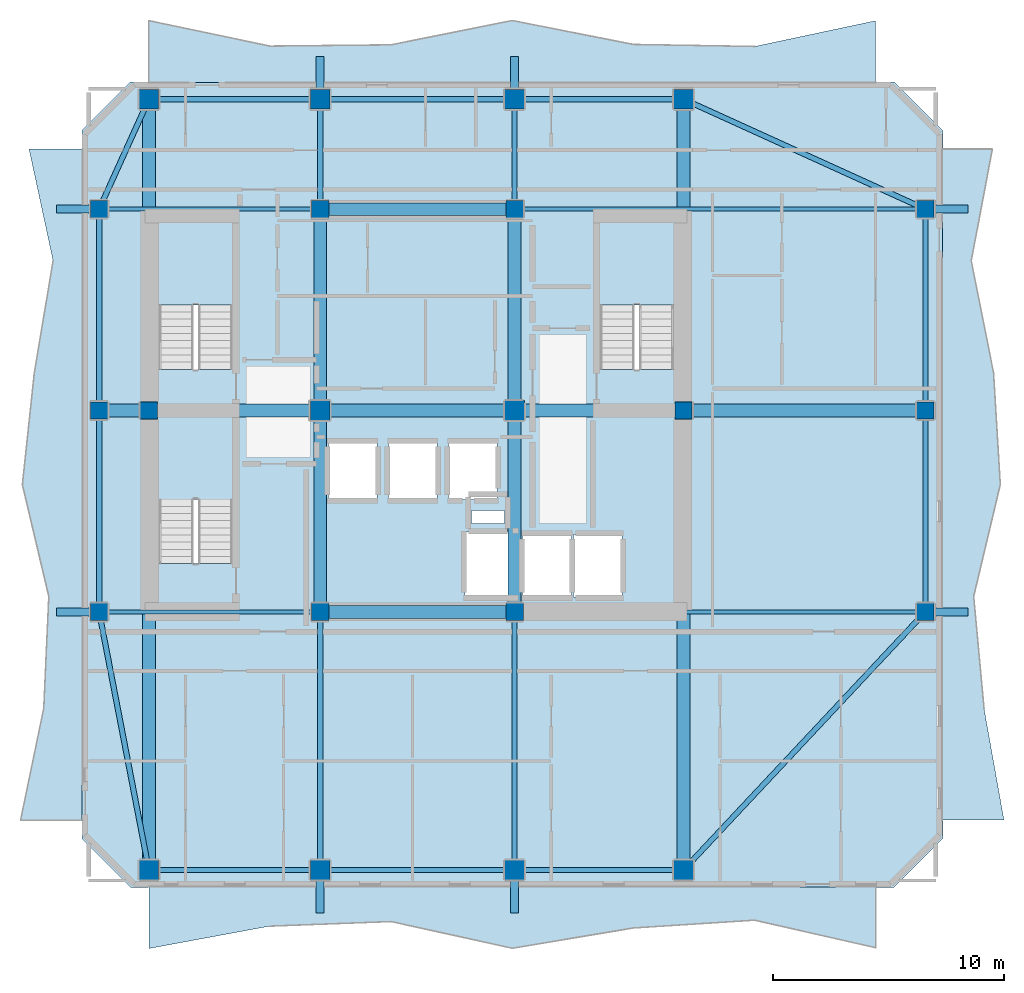
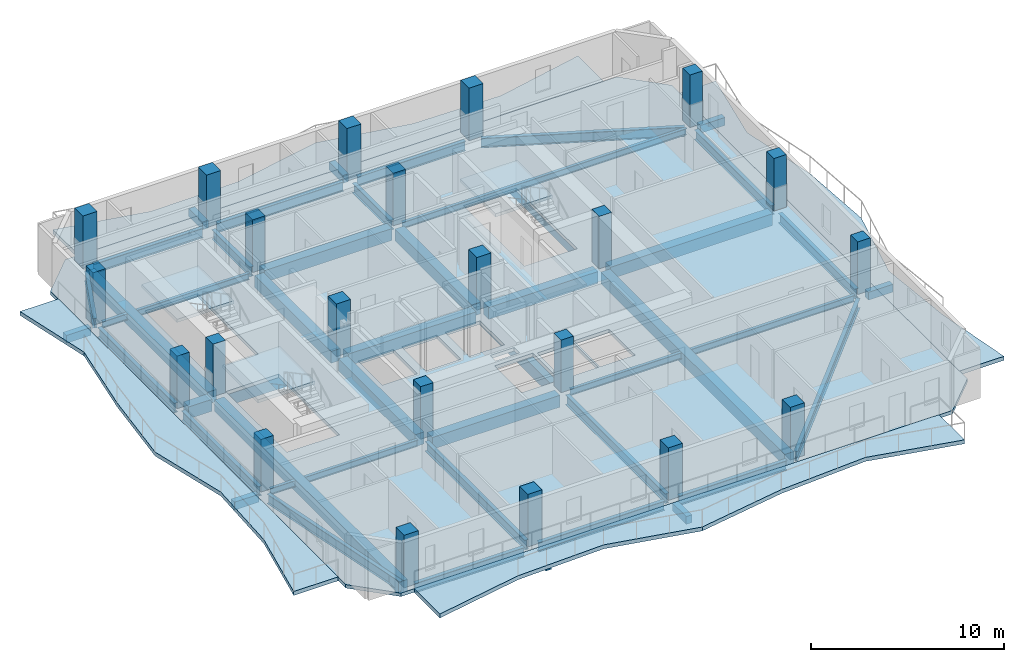
# One storey, part 1 of 9: 45 beams, 22 columns, 8 slabs, 3 elements without a shape of their own.
"""IFC4 building model written with IfcOpenShell, lengths in metres."""

from ifc_helpers import new_model, si_unit, direction, frame, origin, origin_2d, place, context, subcontext, project, spatial, polyline, rectangle, i_section, outline, extrude, material, layer, layer_set, material_profile, profile_set, type_object, element, aggregate, save


model = new_model("IFC4")

# Units and contexts
model_context = context("Model", 3, precision=1e-05, world=origin(), true_north=direction((0.0, 1.0)))
body_context = subcontext(model_context, "Body", "Model", "MODEL_VIEW")
ifc_project = project(units=[si_unit("LENGTHUNIT", "METRE"), si_unit("AREAUNIT", "SQUARE_METRE"), si_unit("VOLUMEUNIT", "CUBIC_METRE"), si_unit("PLANEANGLEUNIT", "RADIAN"), si_unit("MASSUNIT", "GRAM", prefix="KILO")], contexts=[model_context])

# Site, building, storey
site_placement = place(None, origin())
site = spatial("IfcSite", under=ifc_project, at=site_placement, CompositionType="ELEMENT")
building_placement = place(site_placement, origin())
building = spatial("IfcBuilding", under=site, at=building_placement, Name="Solanera Arch Residences", CompositionType="ELEMENT")
storey_placement = place(building_placement, frame((0.0, 0.0, 220.0400390625)))
storey = spatial("IfcBuildingStorey", under=building, at=storey_placement, Name="L64", CompositionType="ELEMENT", Elevation=220.0400390625)

# Columns
ifc_material_1 = material(Name="Concrete C40/50 (f'c = 45 MPa)", Category="concrete")
ifc_material_profile_1 = material_profile(ifc_material_1, rectangle(XDim=0.75, YDim=0.75, at=origin_2d()))
ifc_profile_set_1 = profile_set([ifc_material_profile_1], Name="Concrete C40/50 (f'c = 45 MPa)")
column_type_1 = type_object("IfcColumnType", Name="Structural Column RC-COL-750X750", PredefinedType="COLUMN", material=ifc_profile_set_1)
for number, where, z_axis, x_axis, name in (
    (1, (20.800048828125, 22.0, 0.0), (0.0, 0.0, 1.0), (1.0, 0.0, 0.0), "COL-L64-CB-SW"),
    (2, (29.199951171875, 22.0, 0.0), (0.0, 0.0, 1.0), (1.0, 0.0, 0.0), "COL-L64-CB-SE"),
    (3, (20.800048828125, 39.39990234375, 0.0), (0.0, 0.0, 1.0), (1.0, 0.0, 0.0), "COL-L64-CB-NW"),
    (4, (29.199951171875, 39.39990234375, 0.0), (0.0, 0.0, 1.0), (1.0, 0.0, 0.0), "COL-L64-CB-NE"),
    (5, (13.39990234375, 30.699951171875, 0.0), (0.0, 0.0, 1.0), (1.0, 0.0, 0.0), "COL-L64-CB-WW"),
    (6, (36.5, 30.699951171875, 0.0), (0.0, 0.0, 1.0), (1.0, 0.0, 0.0), "COL-L64-CB-EE"),
    (7, (11.25, 22.0, 0.0), (0.0, 0.0, 1.0), (1.0, 0.0, 0.0), "COL-L64-TWR-09"),
    (8, (46.949951171875, 22.0, 0.0), (0.0, 0.0, 1.0), (1.0, 0.0, 0.0), "COL-L64-TWR-10"),
    (9, (11.25, 30.699951171875, 0.0), (0.0, 0.0, 1.0), (1.0, 0.0, 0.0), "COL-L64-TWR-11"),
    (10, (46.949951171875, 30.699951171875, 0.0), (0.0, 0.0, 1.0), (1.0, 0.0, 0.0), "COL-L64-TWR-12"),
    (11, (11.25, 39.39990234375, 0.0), (0.0, 0.0, 1.0), (1.0, 0.0, 0.0), "COL-L64-TWR-13"),
    (12, (46.949951171875, 39.39990234375, 0.0), (0.0, 0.0, 1.0), (1.0, 0.0, 0.0), "COL-L64-TWR-14"),
):
    element("IfcColumn", number, at=place(storey_placement, frame(where, z_axis=z_axis, x_axis=x_axis)), inside=storey, type_object=column_type_1, Name=name, PredefinedType="COLUMN", context=body_context, shape_type="SweptSolid", body=[
        extrude(rectangle(XDim=0.75, YDim=0.75, at=origin_2d()), origin(), (0.0, 0.0, 1.0), 3.320068359375),
    ])
ifc_material_2 = material(Name="Concrete C40/50 (f'c = 45 MPa)", Category="concrete")
ifc_material_profile_2 = material_profile(ifc_material_2, rectangle(XDim=0.85009765625, YDim=0.85009765625, at=origin_2d()))
ifc_profile_set_2 = profile_set([ifc_material_profile_2], Name="Concrete C40/50 (f'c = 45 MPa)")
column_type_2 = type_object("IfcColumnType", Name="Structural Column RC-COL-850X850", PredefinedType="COLUMN", material=ifc_profile_set_2)
for number, where, z_axis, x_axis, name in (
    (13, (20.800048828125, 30.699951171875, 0.0), (0.0, 0.0, 1.0), (1.0, 0.0, 0.0), "COL-L64-CORE-W"),
    (14, (29.199951171875, 30.699951171875, 0.0), (0.0, 0.0, 1.0), (1.0, 0.0, 0.0), "COL-L64-CORE-E"),
    (15, (13.39990234375, 10.85009765625, 0.0), (0.0, 0.0, 1.0), (1.0, 0.0, 0.0), "COL-L64-TWR-01"),
    (16, (13.39990234375, 44.14990234375, 0.0), (0.0, 0.0, 1.0), (1.0, 0.0, 0.0), "COL-L64-TWR-02"),
    (17, (20.800048828125, 10.85009765625, 0.0), (0.0, 0.0, 1.0), (1.0, 0.0, 0.0), "COL-L64-TWR-03"),
    (18, (20.800048828125, 44.14990234375, 0.0), (0.0, 0.0, 1.0), (1.0, 0.0, 0.0), "COL-L64-TWR-04"),
    (19, (29.199951171875, 10.85009765625, 0.0), (0.0, 0.0, 1.0), (1.0, 0.0, 0.0), "COL-L64-TWR-05"),
    (20, (29.199951171875, 44.14990234375, 0.0), (0.0, 0.0, 1.0), (1.0, 0.0, 0.0), "COL-L64-TWR-06"),
    (21, (36.5, 10.85009765625, 0.0), (0.0, 0.0, 1.0), (1.0, 0.0, 0.0), "COL-L64-TWR-07"),
    (22, (36.5, 44.14990234375, 0.0), (0.0, 0.0, 1.0), (1.0, 0.0, 0.0), "COL-L64-TWR-08"),
):
    element("IfcColumn", number, at=place(storey_placement, frame(where, z_axis=z_axis, x_axis=x_axis)), inside=storey, type_object=column_type_2, Name=name, PredefinedType="COLUMN", context=body_context, shape_type="SweptSolid", body=[
        extrude(rectangle(XDim=0.85009765625, YDim=0.85009765625, at=origin_2d()), origin(), (0.0, 0.0, 1.0), 3.320068359375),
    ])

# Beams
ifc_material_3 = material(Name="Concrete C40/50 (f'c = 45 MPa)", Category="concrete")
ifc_material_profile_3 = material_profile(ifc_material_3, rectangle(XDim=0.35009765625, YDim=0.5, at=origin_2d()))
ifc_profile_set_3 = profile_set([ifc_material_profile_3], Name="Concrete C40/50 (f'c = 45 MPa)")
beam_type_1 = type_object("IfcBeamType", Name="BM-BALC-RIB", PredefinedType="BEAM", material=ifc_profile_set_3)
for number, where, z_axis, x_axis, name in (
    (23, (20.800048828125, 9.0, -0.5), (0.0, 1.0, 0.0), (-1.0, 0.0, 0.0), "BM-L64-BRIB-S1"),
    (24, (29.199951171875, 9.0, -0.5), (0.0, 1.0, 0.0), (-1.0, 0.0, 0.0), "BM-L64-BRIB-S2"),
    (25, (20.800048828125, 44.574951171875, -0.5), (0.0, 1.0, 0.0), (-1.0, 0.0, 0.0), "BM-L64-BRIB-N1"),
    (26, (29.199951171875, 44.574951171875, -0.5), (0.0, 1.0, 0.0), (-1.0, 0.0, 0.0), "BM-L64-BRIB-N2"),
):
    element("IfcBeam", number, at=place(storey_placement, frame(where, z_axis=z_axis, x_axis=x_axis)), inside=storey, type_object=beam_type_1, Name=name, PredefinedType="BEAM", context=body_context, shape_type="SweptSolid", body=[
        extrude(rectangle(XDim=0.35009765625, YDim=0.5, at=origin_2d()), origin(), (0.0, 0.0, 1.0), 1.425048828125),
    ])
for number, where, z_axis, x_axis, name in (
    (27, (47.324951171875, 22.0, -0.5), (1.0, 0.0, 0.0), (0.0, 1.0, 0.0), "BM-L64-BRIB-E1"),
    (28, (47.324951171875, 39.39990234375, -0.5), (1.0, 0.0, 0.0), (0.0, 1.0, 0.0), "BM-L64-BRIB-E2"),
    (29, (9.39990234375, 22.0, -0.5), (1.0, 0.0, 0.0), (0.0, 1.0, 0.0), "BM-L64-BRIB-W1"),
    (30, (9.39990234375, 39.39990234375, -0.5), (1.0, 0.0, 0.0), (0.0, 1.0, 0.0), "BM-L64-BRIB-W2"),
):
    element("IfcBeam", number, at=place(storey_placement, frame(where, z_axis=z_axis, x_axis=x_axis)), inside=storey, type_object=beam_type_1, Name=name, PredefinedType="BEAM", context=body_context, shape_type="SweptSolid", body=[
        extrude(rectangle(XDim=0.35009765625, YDim=0.5, at=origin_2d()), origin(), (0.0, 0.0, 1.0), 1.47509765625),
    ])
ifc_material_4 = material(Name="Concrete C40/50 (f'c = 45 MPa)", Category="concrete")
ifc_material_profile_4 = material_profile(ifc_material_4, rectangle(XDim=0.550048828125, YDim=0.75, at=origin_2d()))
ifc_profile_set_4 = profile_set([ifc_material_profile_4], Name="Concrete C40/50 (f'c = 45 MPa)")
beam_type_2 = type_object("IfcBeamType", Name="Primary Beam RC-BM-550X750", PredefinedType="BEAM", material=ifc_profile_set_4)
beam_1_placement = place(storey_placement, frame((20.800048828125, 22.37890625, -0.594970703125), z_axis=(0.0, 1.0, 0.0), x_axis=(-1.0, 0.0, 0.0)))
element("IfcBeam", 31, at=beam_1_placement, inside=storey, type_object=beam_type_2, Name="BM-L64-CC-S-208", PredefinedType="BEAM", context=body_context, shape_type="SweptSolid", body=[
    extrude(rectangle(XDim=0.550048828125, YDim=0.75, at=origin_2d()), origin(), (0.0, 0.0, 1.0), 7.942138671875),
])
beam_2_placement = place(storey_placement, frame((20.800048828125, 31.0791015625, -0.594970703125), z_axis=(0.0, 1.0, 0.0), x_axis=(-1.0, 0.0, 0.0)))
element("IfcBeam", 32, at=beam_2_placement, inside=storey, type_object=beam_type_2, Name="BM-L64-CC-N-208", PredefinedType="BEAM", context=body_context, shape_type="SweptSolid", body=[
    extrude(rectangle(XDim=0.550048828125, YDim=0.75, at=origin_2d()), origin(), (0.0, 0.0, 1.0), 7.94189453125),
])
beam_3_placement = place(storey_placement, frame((29.199951171875, 22.37890625, -0.594970703125), z_axis=(0.0, 1.0, 0.0), x_axis=(-1.0, 0.0, 0.0)))
element("IfcBeam", 33, at=beam_3_placement, inside=storey, type_object=beam_type_2, Name="BM-L64-CC-S-292", PredefinedType="BEAM", context=body_context, shape_type="SweptSolid", body=[
    extrude(rectangle(XDim=0.550048828125, YDim=0.75, at=origin_2d()), origin(), (0.0, 0.0, 1.0), 7.942138671875),
])
beam_4_placement = place(storey_placement, frame((29.199951171875, 31.0791015625, -0.594970703125), z_axis=(0.0, 1.0, 0.0), x_axis=(-1.0, 0.0, 0.0)))
element("IfcBeam", 34, at=beam_4_placement, inside=storey, type_object=beam_type_2, Name="BM-L64-CC-N-292", PredefinedType="BEAM", context=body_context, shape_type="SweptSolid", body=[
    extrude(rectangle(XDim=0.550048828125, YDim=0.75, at=origin_2d()), origin(), (0.0, 0.0, 1.0), 7.94189453125),
])
for number, where, z_axis, x_axis, name in (
    (35, (21.178955078125, 22.0, -0.594970703125), (1.0, 0.0, 0.0), (0.0, 1.0, 0.0), "BM-L64-CC-M-220"),
    (36, (21.178955078125, 30.699951171875, -0.594970703125), (1.0, 0.0, 0.0), (0.0, 1.0, 0.0), "BM-L64-CC-M-307"),
    (37, (21.178955078125, 39.39990234375, -0.594970703125), (1.0, 0.0, 0.0), (0.0, 1.0, 0.0), "BM-L64-CC-M-394"),
):
    element("IfcBeam", number, at=place(storey_placement, frame(where, z_axis=z_axis, x_axis=x_axis)), inside=storey, type_object=beam_type_2, Name=name, PredefinedType="BEAM", context=body_context, shape_type="SweptSolid", body=[
        extrude(rectangle(XDim=0.550048828125, YDim=0.75, at=origin_2d()), origin(), (0.0, 0.0, 1.0), 7.64208984375),
    ])
beam_5_placement = place(storey_placement, frame((13.779052734375, 30.699951171875, -0.594970703125), z_axis=(1.0, 0.0, 0.0), x_axis=(0.0, 1.0, 0.0)))
element("IfcBeam", 38, at=beam_5_placement, inside=storey, type_object=beam_type_2, Name="BM-L64-CC-W", PredefinedType="BEAM", context=body_context, shape_type="SweptSolid", body=[
    extrude(rectangle(XDim=0.550048828125, YDim=0.75, at=origin_2d()), origin(), (0.0, 0.0, 1.0), 6.641845703125),
])
beam_6_placement = place(storey_placement, frame((29.5791015625, 30.699951171875, -0.594970703125), z_axis=(1.0, 0.0, 0.0), x_axis=(0.0, 1.0, 0.0)))
element("IfcBeam", 39, at=beam_6_placement, inside=storey, type_object=beam_type_2, Name="BM-L64-CC-E", PredefinedType="BEAM", context=body_context, shape_type="SweptSolid", body=[
    extrude(rectangle(XDim=0.550048828125, YDim=0.75, at=origin_2d()), origin(), (0.0, 0.0, 1.0), 6.5419921875),
])
beam_7_placement = place(storey_placement, frame((13.39990234375, 11.279052734375, -0.594970703125), z_axis=(0.0, 1.0, 0.0), x_axis=(-1.0, 0.0, 0.0)))
element("IfcBeam", 40, at=beam_7_placement, inside=storey, type_object=beam_type_2, Name="BM-L64-RAD-OS-134", PredefinedType="BEAM", context=body_context, shape_type="SweptSolid", body=[
    extrude(rectangle(XDim=0.550048828125, YDim=0.75, at=origin_2d()), origin(), (0.0, 0.0, 1.0), 19.0419921875),
])
beam_8_placement = place(storey_placement, frame((13.39990234375, 31.0791015625, -0.594970703125), z_axis=(0.0, 1.0, 0.0), x_axis=(-1.0, 0.0, 0.0)))
element("IfcBeam", 41, at=beam_8_placement, inside=storey, type_object=beam_type_2, Name="BM-L64-RAD-ON-134", PredefinedType="BEAM", context=body_context, shape_type="SweptSolid", body=[
    extrude(rectangle(XDim=0.550048828125, YDim=0.75, at=origin_2d()), origin(), (0.0, 0.0, 1.0), 12.641845703125),
])
beam_9_placement = place(storey_placement, frame((36.5, 11.279052734375, -0.594970703125), z_axis=(0.0, 1.0, 0.0), x_axis=(-1.0, 0.0, 0.0)))
element("IfcBeam", 42, at=beam_9_placement, inside=storey, type_object=beam_type_2, Name="BM-L64-RAD-OS-365", PredefinedType="BEAM", context=body_context, shape_type="SweptSolid", body=[
    extrude(rectangle(XDim=0.550048828125, YDim=0.75, at=origin_2d()), origin(), (0.0, 0.0, 1.0), 19.0419921875),
])
beam_10_placement = place(storey_placement, frame((36.5, 31.0791015625, -0.594970703125), z_axis=(0.0, 1.0, 0.0), x_axis=(-1.0, 0.0, 0.0)))
element("IfcBeam", 43, at=beam_10_placement, inside=storey, type_object=beam_type_2, Name="BM-L64-RAD-ON-365", PredefinedType="BEAM", context=body_context, shape_type="SweptSolid", body=[
    extrude(rectangle(XDim=0.550048828125, YDim=0.75, at=origin_2d()), origin(), (0.0, 0.0, 1.0), 12.641845703125),
])
beam_11_placement = place(storey_placement, frame((11.62890625, 30.699951171875, -0.594970703125), z_axis=(1.0, 0.0, 0.0), x_axis=(0.0, 1.0, 0.0)))
element("IfcBeam", 44, at=beam_11_placement, inside=storey, type_object=beam_type_2, Name="BM-L64-RAD-MW", PredefinedType="BEAM", context=body_context, shape_type="SweptSolid", body=[
    extrude(rectangle(XDim=0.550048828125, YDim=0.75, at=origin_2d()), origin(), (0.0, 0.0, 1.0), 1.39208984375),
])
beam_12_placement = place(storey_placement, frame((36.87890625, 30.699951171875, -0.594970703125), z_axis=(1.0, 0.0, 0.0), x_axis=(0.0, 1.0, 0.0)))
element("IfcBeam", 45, at=beam_12_placement, inside=storey, type_object=beam_type_2, Name="BM-L64-RAD-ME", PredefinedType="BEAM", context=body_context, shape_type="SweptSolid", body=[
    extrude(rectangle(XDim=0.550048828125, YDim=0.75, at=origin_2d()), origin(), (0.0, 0.0, 1.0), 9.692138671875),
])
ifc_material_5 = material(Name="Steel S355 (ASTM A992 / A572 Grade 50)", Category="steel")
ifc_material_profile_5 = material_profile(ifc_material_5, i_section(OverallWidth=0.22998046875, OverallDepth=0.616943359375, WebThickness=0.01318359375, FlangeThickness=0.022216796875, at=origin_2d()))
ifc_profile_set_5 = profile_set([ifc_material_profile_5], Name="Steel S355 (ASTM A992 / A572 Grade 50)")
beam_type_3 = type_object("IfcBeamType", Name="Primary Beam W610X140", PredefinedType="BEAM", material=ifc_profile_set_5)
beam_13_placement = place(storey_placement, frame((20.800048828125, 11.279052734375, -0.529052734375), z_axis=(0.0, 1.0, 0.0), x_axis=(-1.0, 0.0, 0.0)))
element("IfcBeam", 46, at=beam_13_placement, inside=storey, type_object=beam_type_3, Name="BM-L64-RAD-S-208", PredefinedType="BEAM", context=body_context, shape_type="SweptSolid", body=[
    extrude(i_section(OverallWidth=0.22998046875, OverallDepth=0.616943359375, WebThickness=0.01318359375, FlangeThickness=0.022216796875, at=origin_2d()), origin(), (0.0, 0.0, 1.0), 10.342041015625),
])
beam_14_placement = place(storey_placement, frame((20.800048828125, 39.779052734375, -0.529052734375), z_axis=(0.0, 1.0, 0.0), x_axis=(-1.0, 0.0, 0.0)))
element("IfcBeam", 47, at=beam_14_placement, inside=storey, type_object=beam_type_3, Name="BM-L64-RAD-N-208", PredefinedType="BEAM", context=body_context, shape_type="SweptSolid", body=[
    extrude(i_section(OverallWidth=0.22998046875, OverallDepth=0.616943359375, WebThickness=0.01318359375, FlangeThickness=0.022216796875, at=origin_2d()), origin(), (0.0, 0.0, 1.0), 3.94189453125),
])
beam_15_placement = place(storey_placement, frame((29.199951171875, 11.279052734375, -0.529052734375), z_axis=(0.0, 1.0, 0.0), x_axis=(-1.0, 0.0, 0.0)))
element("IfcBeam", 48, at=beam_15_placement, inside=storey, type_object=beam_type_3, Name="BM-L64-RAD-S-292", PredefinedType="BEAM", context=body_context, shape_type="SweptSolid", body=[
    extrude(i_section(OverallWidth=0.22998046875, OverallDepth=0.616943359375, WebThickness=0.01318359375, FlangeThickness=0.022216796875, at=origin_2d()), origin(), (0.0, 0.0, 1.0), 10.342041015625),
])
beam_16_placement = place(storey_placement, frame((29.199951171875, 39.779052734375, -0.529052734375), z_axis=(0.0, 1.0, 0.0), x_axis=(-1.0, 0.0, 0.0)))
element("IfcBeam", 49, at=beam_16_placement, inside=storey, type_object=beam_type_3, Name="BM-L64-RAD-N-292", PredefinedType="BEAM", context=body_context, shape_type="SweptSolid", body=[
    extrude(i_section(OverallWidth=0.22998046875, OverallDepth=0.616943359375, WebThickness=0.01318359375, FlangeThickness=0.022216796875, at=origin_2d()), origin(), (0.0, 0.0, 1.0), 3.94189453125),
])
ifc_material_6 = material(Name="Steel S355 (ASTM A992 / A572 Grade 50)", Category="steel")
ifc_material_profile_6 = material_profile(ifc_material_6, i_section(OverallWidth=0.178955078125, OverallDepth=0.409912109375, WebThickness=0.0087890625, FlangeThickness=0.014404296875, at=origin_2d()))
ifc_profile_set_6 = profile_set([ifc_material_profile_6], Name="Steel S355 (ASTM A992 / A572 Grade 50)")
beam_type_4 = type_object("IfcBeamType", Name="Secondary Joist W410X67", PredefinedType="JOIST", material=ifc_profile_set_6)
beam_17_placement = place(storey_placement, frame((11.62890625, 22.0, -0.425048828125), z_axis=(1.0, 0.0, 0.0), x_axis=(0.0, 1.0, 0.0)))
element("IfcBeam", 50, at=beam_17_placement, inside=storey, type_object=beam_type_4, Name="BM-L64-RAD-W-220", PredefinedType="JOIST", context=body_context, shape_type="SweptSolid", body=[
    extrude(i_section(OverallWidth=0.178955078125, OverallDepth=0.409912109375, WebThickness=0.0087890625, FlangeThickness=0.014404296875, at=origin_2d()), origin(), (0.0, 0.0, 1.0), 8.7919921875),
])
beam_18_placement = place(storey_placement, frame((29.5791015625, 22.0, -0.425048828125), z_axis=(1.0, 0.0, 0.0), x_axis=(0.0, 1.0, 0.0)))
element("IfcBeam", 51, at=beam_18_placement, inside=storey, type_object=beam_type_4, Name="BM-L64-RAD-E-220", PredefinedType="JOIST", context=body_context, shape_type="SweptSolid", body=[
    extrude(i_section(OverallWidth=0.178955078125, OverallDepth=0.409912109375, WebThickness=0.0087890625, FlangeThickness=0.014404296875, at=origin_2d()), origin(), (0.0, 0.0, 1.0), 16.991943359375),
])
beam_19_placement = place(storey_placement, frame((11.62890625, 39.39990234375, -0.425048828125), z_axis=(1.0, 0.0, 0.0), x_axis=(0.0, 1.0, 0.0)))
element("IfcBeam", 52, at=beam_19_placement, inside=storey, type_object=beam_type_4, Name="BM-L64-RAD-W-394", PredefinedType="JOIST", context=body_context, shape_type="SweptSolid", body=[
    extrude(i_section(OverallWidth=0.178955078125, OverallDepth=0.409912109375, WebThickness=0.0087890625, FlangeThickness=0.014404296875, at=origin_2d()), origin(), (0.0, 0.0, 1.0), 8.7919921875),
])
beam_20_placement = place(storey_placement, frame((29.5791015625, 39.39990234375, -0.425048828125), z_axis=(1.0, 0.0, 0.0), x_axis=(0.0, 1.0, 0.0)))
element("IfcBeam", 53, at=beam_20_placement, inside=storey, type_object=beam_type_4, Name="BM-L64-RAD-E-394", PredefinedType="JOIST", context=body_context, shape_type="SweptSolid", body=[
    extrude(i_section(OverallWidth=0.178955078125, OverallDepth=0.409912109375, WebThickness=0.0087890625, FlangeThickness=0.014404296875, at=origin_2d()), origin(), (0.0, 0.0, 1.0), 16.991943359375),
])
ifc_material_7 = material(Name="Steel S355 (ASTM A992 / A572 Grade 50)", Category="steel")
ifc_material_profile_7 = material_profile(ifc_material_7, i_section(OverallWidth=0.22802734375, OverallDepth=0.60791015625, WebThickness=0.01123046875, FlangeThickness=0.017333984375, at=origin_2d()))
ifc_profile_set_7 = profile_set([ifc_material_profile_7], Name="Steel S355 (ASTM A992 / A572 Grade 50)")
beam_type_5 = type_object("IfcBeamType", Name="Spandrel Beam W610X113", PredefinedType="SPANDREL", material=ifc_profile_set_7)
for number, where, z_axis, x_axis, name in (
    (54, (13.8291015625, 10.85009765625, -0.52392578125), (1.0, 0.0, 0.0), (0.0, 1.0, 0.0), "BM-L64-SPN-S-1"),
    (55, (13.8291015625, 44.14990234375, -0.52392578125), (1.0, 0.0, 0.0), (0.0, 1.0, 0.0), "BM-L64-SPN-N-1"),
):
    element("IfcBeam", number, at=place(storey_placement, frame(where, z_axis=z_axis, x_axis=x_axis)), inside=storey, type_object=beam_type_5, Name=name, PredefinedType="SPANDREL", context=body_context, shape_type="SweptSolid", body=[
        extrude(i_section(OverallWidth=0.22802734375, OverallDepth=0.60791015625, WebThickness=0.01123046875, FlangeThickness=0.017333984375, at=origin_2d()), origin(), (0.0, 0.0, 1.0), 6.5419921875),
    ])
for number, where, z_axis, x_axis, name in (
    (56, (21.22900390625, 10.85009765625, -0.52392578125), (1.0, 0.0, 0.0), (0.0, 1.0, 0.0), "BM-L64-SPN-S-2"),
    (57, (21.22900390625, 44.14990234375, -0.52392578125), (1.0, 0.0, 0.0), (0.0, 1.0, 0.0), "BM-L64-SPN-N-2"),
):
    element("IfcBeam", number, at=place(storey_placement, frame(where, z_axis=z_axis, x_axis=x_axis)), inside=storey, type_object=beam_type_5, Name=name, PredefinedType="SPANDREL", context=body_context, shape_type="SweptSolid", body=[
        extrude(i_section(OverallWidth=0.22802734375, OverallDepth=0.60791015625, WebThickness=0.01123046875, FlangeThickness=0.017333984375, at=origin_2d()), origin(), (0.0, 0.0, 1.0), 7.5419921875),
    ])
for number, where, z_axis, x_axis, name in (
    (58, (29.62890625, 10.85009765625, -0.52392578125), (1.0, 0.0, 0.0), (0.0, 1.0, 0.0), "BM-L64-SPN-S-3"),
    (59, (29.62890625, 44.14990234375, -0.52392578125), (1.0, 0.0, 0.0), (0.0, 1.0, 0.0), "BM-L64-SPN-N-3"),
):
    element("IfcBeam", number, at=place(storey_placement, frame(where, z_axis=z_axis, x_axis=x_axis)), inside=storey, type_object=beam_type_5, Name=name, PredefinedType="SPANDREL", context=body_context, shape_type="SweptSolid", body=[
        extrude(i_section(OverallWidth=0.22802734375, OverallDepth=0.60791015625, WebThickness=0.01123046875, FlangeThickness=0.017333984375, at=origin_2d()), origin(), (0.0, 0.0, 1.0), 6.442138671875),
    ])
for number, where, z_axis, x_axis, name in (
    (60, (11.25, 22.37890625, -0.52392578125), (0.0, 1.0, 0.0), (-1.0, 0.0, 0.0), "BM-L64-SPN-W-1"),
    (61, (46.949951171875, 22.37890625, -0.52392578125), (0.0, 1.0, 0.0), (-1.0, 0.0, 0.0), "BM-L64-SPN-E-1"),
):
    element("IfcBeam", number, at=place(storey_placement, frame(where, z_axis=z_axis, x_axis=x_axis)), inside=storey, type_object=beam_type_5, Name=name, PredefinedType="SPANDREL", context=body_context, shape_type="SweptSolid", body=[
        extrude(i_section(OverallWidth=0.22802734375, OverallDepth=0.60791015625, WebThickness=0.01123046875, FlangeThickness=0.017333984375, at=origin_2d()), origin(), (0.0, 0.0, 1.0), 7.942138671875),
    ])
for number, where, z_axis, x_axis, name in (
    (62, (11.25, 31.0791015625, -0.52392578125), (0.0, 1.0, 0.0), (-1.0, 0.0, 0.0), "BM-L64-SPN-W-2"),
    (63, (46.949951171875, 31.0791015625, -0.52392578125), (0.0, 1.0, 0.0), (-1.0, 0.0, 0.0), "BM-L64-SPN-E-2"),
):
    element("IfcBeam", number, at=place(storey_placement, frame(where, z_axis=z_axis, x_axis=x_axis)), inside=storey, type_object=beam_type_5, Name=name, PredefinedType="SPANDREL", context=body_context, shape_type="SweptSolid", body=[
        extrude(i_section(OverallWidth=0.22802734375, OverallDepth=0.60791015625, WebThickness=0.01123046875, FlangeThickness=0.017333984375, at=origin_2d()), origin(), (0.0, 0.0, 1.0), 7.94189453125),
    ])
beam_21_placement = place(storey_placement, frame((13.31689453125, 11.279052734375, -0.52392578125), z_axis=(-0.189309049989, 0.981917554376, 0.0), x_axis=(-0.981917554376, -0.189309049989, 0.0)))
element("IfcBeam", 64, at=beam_21_placement, inside=storey, type_object=beam_type_5, Name="BM-L64-SPN-SW", PredefinedType="SPANDREL", context=body_context, shape_type="SweptSolid", body=[
    extrude(i_section(OverallWidth=0.22802734375, OverallDepth=0.60791015625, WebThickness=0.01123046875, FlangeThickness=0.017333984375, at=origin_2d()), origin(), (0.0, 0.0, 1.0), 10.532470703125),
])
beam_22_placement = place(storey_placement, frame((13.2060546875, 43.720947265625, -0.52392578125), z_axis=(-0.412535820952, -0.910941379251, 0.0), x_axis=(0.910941379251, -0.412535820952, 0.0)))
element("IfcBeam", 65, at=beam_22_placement, inside=storey, type_object=beam_type_5, Name="BM-L64-SPN-NW", PredefinedType="SPANDREL", context=body_context, shape_type="SweptSolid", body=[
    extrude(i_section(OverallWidth=0.22802734375, OverallDepth=0.60791015625, WebThickness=0.01123046875, FlangeThickness=0.017333984375, at=origin_2d()), origin(), (0.0, 0.0, 1.0), 4.327392578125),
])
beam_23_placement = place(storey_placement, frame((36.868896484375, 11.243896484375, -0.52392578125), z_axis=(0.68384805947, 0.72962444556, 0.0), x_axis=(-0.72962444556, 0.68384805947, 0.0)))
element("IfcBeam", 66, at=beam_23_placement, inside=storey, type_object=beam_type_5, Name="BM-L64-SPN-SE", PredefinedType="SPANDREL", context=body_context, shape_type="SweptSolid", body=[
    extrude(i_section(OverallWidth=0.22802734375, OverallDepth=0.60791015625, WebThickness=0.01123046875, FlangeThickness=0.017333984375, at=origin_2d()), origin(), (0.0, 0.0, 1.0), 14.223876953125),
])
beam_24_placement = place(storey_placement, frame((36.928955078125, 43.955078125, -0.52392578125), z_axis=(0.910356214976, -0.413825521028, 0.0), x_axis=(0.413825521028, 0.910356214976, 0.0)))
element("IfcBeam", 67, at=beam_24_placement, inside=storey, type_object=beam_type_5, Name="BM-L64-SPN-NE", PredefinedType="SPANDREL", context=body_context, shape_type="SweptSolid", body=[
    extrude(i_section(OverallWidth=0.22802734375, OverallDepth=0.60791015625, WebThickness=0.01123046875, FlangeThickness=0.017333984375, at=origin_2d()), origin(), (0.0, 0.0, 1.0), 10.591552734375),
])

# Slabs
ifc_material_8 = material(Name="Concrete C40/50 (f'c = 45 MPa)", Category="concrete")
ifc_layer_1 = layer(ifc_material_8, 0.25)
ifc_layer_set_1 = layer_set([ifc_layer_1], Name="Concrete C40/50 (f'c = 45 MPa)")
slab_type_1 = type_object("IfcSlabType", Name="Balcony Slab 250", PredefinedType="FLOOR", material=ifc_layer_set_1)
slab_1_placement = place(storey_placement, frame((0.0, 0.0, -0.25)))
element("IfcSlab", 68, at=slab_1_placement, inside=storey, type_object=slab_type_1, Name="L64 S Rippling Brise-Soleil Balcony Slab", PredefinedType="FLOOR", context=body_context, shape_type="SweptSolid", body=[
    extrude(outline(polyline([(13.39990234375, 7.4541015625), (18.633056640625, 8.423095703125), (23.866943359375, 8.62109375), (29.10009765625, 7.468017578125), (34.3330078125, 8.343994140625), (39.56689453125, 8.680908203125), (44.800048828125, 7.490966796875), (44.800048828125, 10.1201171875), (13.39990234375, 10.1201171875), (13.39990234375, 7.4541015625)])), origin(), (0.0, 0.0, 1.0), 0.25),
])
slab_2_placement = place(storey_placement, frame((0.0, 0.0, -0.25)))
element("IfcSlab", 69, at=slab_2_placement, inside=storey, type_object=slab_type_1, Name="L64 N Rippling Brise-Soleil Balcony Slab", PredefinedType="FLOOR", context=body_context, shape_type="SweptSolid", body=[
    extrude(outline(polyline([(44.800048828125, 47.5439453125), (39.56689453125, 46.429931640625), (34.3330078125, 46.51806640625), (29.10009765625, 47.550048828125), (23.866943359375, 46.5009765625), (18.633056640625, 46.446044921875), (13.39990234375, 47.5458984375), (13.39990234375, 44.8798828125), (44.800048828125, 44.8798828125), (44.800048828125, 47.5439453125)])), origin(), (0.0, 0.0, 1.0), 0.25),
])
slab_3_placement = place(storey_placement, frame((0.0, 0.0, -0.25)))
element("IfcSlab", 70, at=slab_3_placement, inside=storey, type_object=slab_type_1, Name="L64 E Rippling Brise-Soleil Balcony Slab", PredefinedType="FLOOR", context=body_context, shape_type="SweptSolid", body=[
    extrude(outline(polyline([(50.345947265625, 13.0), (49.48291015625, 17.8330078125), (49.034912109375, 22.6669921875), (50.18603515625, 27.5), (49.89404296875, 32.3330078125), (48.930908203125, 37.1669921875), (49.842041015625, 42.0), (47.679931640625, 42.0), (47.679931640625, 13.0), (50.345947265625, 13.0)])), origin(), (0.0, 0.0, 1.0), 0.25),
])
slab_4_placement = place(storey_placement, frame((0.0, 0.0, -0.25)))
element("IfcSlab", 71, at=slab_4_placement, inside=storey, type_object=slab_type_1, Name="L64 W Rippling Brise-Soleil Balcony Slab", PredefinedType="FLOOR", context=body_context, shape_type="SweptSolid", body=[
    extrude(outline(polyline([(8.220947265625, 42.0), (9.260009765625, 37.1669921875), (8.448974609375, 32.3330078125), (7.931884765625, 27.5), (9.074951171875, 22.6669921875), (8.85693359375, 17.8330078125), (7.85400390625, 13.0), (10.52001953125, 13.0), (10.52001953125, 42.0), (8.220947265625, 42.0)])), origin(), (0.0, 0.0, 1.0), 0.25),
])

# Stair, slab
ifc_material_9 = material(Name="Concrete C40/50 (f'c = 45 MPa)", Category="concrete")
stair_type = type_object("IfcStairType", Name="Tower Dogleg Exit Stair 1480", PredefinedType="HALF_TURN_STAIR", material=ifc_material_9)
stair_1_placement = place(storey_placement, origin())
stair_1 = element("IfcStair", 72, at=stair_1_placement, inside=storey, type_object=stair_type, Name="L64 Tower Core Exit Stair 1", PredefinedType="HALF_TURN_STAIR")
ifc_material_10 = material(Name="Concrete C40/50 (f'c = 45 MPa)", Category="concrete")
ifc_layer_2 = layer(ifc_material_10, 0.199951171875)
ifc_layer_set_2 = layer_set([ifc_layer_2], Name="Concrete C40/50 (f'c = 45 MPa)")
slab_type_2 = type_object("IfcSlabType", Name="Stair Half-Landing Slab 200", PredefinedType="LANDING", material=ifc_layer_set_2)
slab_5_placement = place(storey_placement, frame((0.0, 0.0, 1.4599609375)))
slab_5 = element("IfcSlab", 73, at=slab_5_placement, type_object=slab_type_2, Name="ST-T1 landing 1", PredefinedType="LANDING", context=body_context, shape_type="SweptSolid", body=[
    extrude(outline(polyline([(17.1201171875, 35.260009765625), (17.1201171875, 38.919921875), (13.719970703125, 38.919921875), (13.719970703125, 35.260009765625), (17.1201171875, 35.260009765625)])), origin(), (0.0, 0.0, 1.0), 0.199951171875),
])
aggregate(stair_1, [slab_5])

stair_2_placement = place(storey_placement, origin())
stair_2 = element("IfcStair", 74, at=stair_2_placement, inside=storey, type_object=stair_type, Name="L64 Tower Core Exit Stair 2", PredefinedType="HALF_TURN_STAIR")
slab_6_placement = place(storey_placement, frame((0.0, 0.0, 1.4599609375)))
slab_6 = element("IfcSlab", 75, at=slab_6_placement, type_object=slab_type_2, Name="ST-T2 landing 1", PredefinedType="LANDING", context=body_context, shape_type="SweptSolid", body=[
    extrude(outline(polyline([(36.179931640625, 35.260009765625), (36.179931640625, 38.919921875), (32.780029296875, 38.919921875), (32.780029296875, 35.260009765625), (36.179931640625, 35.260009765625)])), origin(), (0.0, 0.0, 1.0), 0.199951171875),
])
aggregate(stair_2, [slab_6])

stair_3_placement = place(storey_placement, origin())
stair_3 = element("IfcStair", 76, at=stair_3_placement, inside=storey, type_object=stair_type, Name="L64 Tower Core Exit Stair 3", PredefinedType="HALF_TURN_STAIR")
slab_7_placement = place(storey_placement, frame((0.0, 0.0, 1.4599609375)))
slab_7 = element("IfcSlab", 77, at=slab_7_placement, type_object=slab_type_2, Name="ST-T3 landing 1", PredefinedType="LANDING", context=body_context, shape_type="SweptSolid", body=[
    extrude(outline(polyline([(17.1201171875, 26.860107421875), (17.1201171875, 30.52001953125), (13.719970703125, 30.52001953125), (13.719970703125, 26.860107421875), (17.1201171875, 26.860107421875)])), origin(), (0.0, 0.0, 1.0), 0.199951171875),
])
aggregate(stair_3, [slab_7])

# Slab
ifc_material_11 = material(Name="Concrete C40/50 (f'c = 45 MPa)", Category="concrete")
ifc_layer_3 = layer(ifc_material_11, 0.219970703125)
ifc_layer_set_3 = layer_set([ifc_layer_3], Name="Concrete C40/50 (f'c = 45 MPa)")
slab_type_3 = type_object("IfcSlabType", Name="Suspended Floor Slab Post-Tensioned 220", PredefinedType="FLOOR", material=ifc_layer_set_3)
slab_8_placement = place(storey_placement, frame((0.0, 0.0, -0.219970703125)))
element("IfcSlab", 78, at=slab_8_placement, inside=storey, type_object=slab_type_3, Name="L64 Tower Post-Tensioned Floor Slab", PredefinedType="FLOOR", context=body_context, shape_type="SweptSolid", body=[
    extrude(outline(polyline([(12.60009765625, 10.10009765625), (45.60009765625, 10.10009765625), (47.699951171875, 12.199951171875), (47.699951171875, 42.800048828125), (45.60009765625, 44.89990234375), (12.60009765625, 44.89990234375), (10.5, 42.800048828125), (10.5, 12.199951171875), (12.60009765625, 10.10009765625)]), holes=[polyline([(13.840087890625, 32.48291015625), (13.840087890625, 38.800048828125), (17.0, 38.800048828125), (17.0, 32.48291015625), (13.840087890625, 32.48291015625)]), polyline([(32.89990234375, 32.48291015625), (32.89990234375, 38.800048828125), (36.06005859375, 38.800048828125), (36.06005859375, 32.48291015625), (32.89990234375, 32.48291015625)]), polyline([(13.840087890625, 24.0830078125), (13.840087890625, 30.39990234375), (17.0, 30.39990234375), (17.0, 24.0830078125), (13.840087890625, 24.0830078125)]), polyline([(21.14990234375, 29.35009765625), (23.25, 29.35009765625), (23.25, 26.85009765625), (21.14990234375, 26.85009765625), (21.14990234375, 29.35009765625)]), polyline([(23.75, 29.35009765625), (25.85009765625, 29.35009765625), (25.85009765625, 26.85009765625), (23.75, 26.85009765625), (23.75, 29.35009765625)]), polyline([(26.35009765625, 29.35009765625), (28.449951171875, 29.35009765625), (28.449951171875, 26.85009765625), (26.35009765625, 26.85009765625), (26.35009765625, 29.35009765625)]), polyline([(29.550048828125, 25.35009765625), (31.64990234375, 25.35009765625), (31.64990234375, 22.64990234375), (29.550048828125, 22.64990234375), (29.550048828125, 25.35009765625)]), polyline([(31.75, 25.35009765625), (33.85009765625, 25.35009765625), (33.85009765625, 22.64990234375), (31.75, 22.64990234375), (31.75, 25.35009765625)]), polyline([(27.050048828125, 25.449951171875), (29.35009765625, 25.449951171875), (29.35009765625, 22.64990234375), (27.050048828125, 22.64990234375), (27.050048828125, 25.449951171875)]), polyline([(27.340087890625, 26.3798828125), (28.760009765625, 26.3798828125), (28.760009765625, 25.820068359375), (27.340087890625, 25.820068359375), (27.340087890625, 26.3798828125)])]), origin(), (0.0, 0.0, 1.0), 0.219970703125),
])

save(model, "model.ifc")
